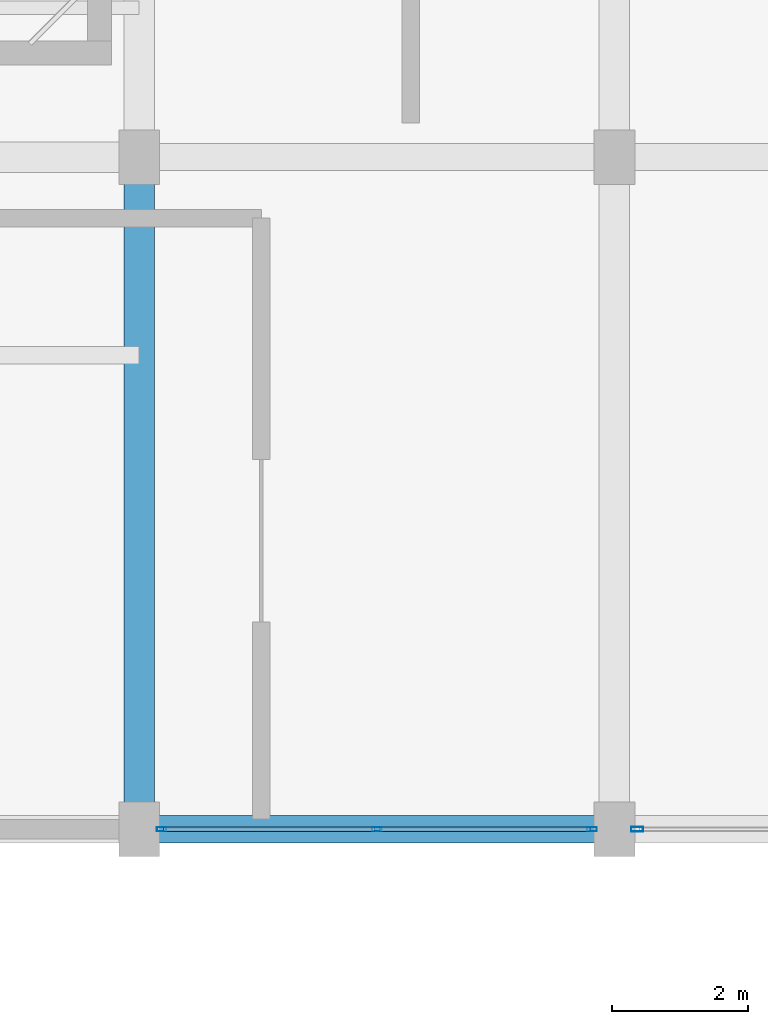
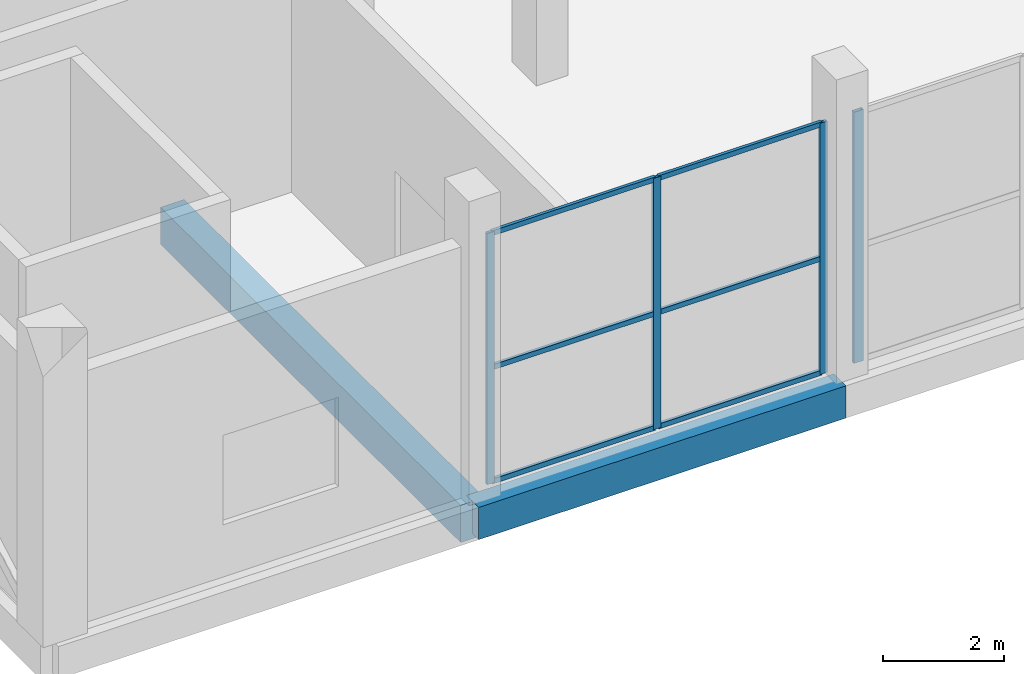
# One storey, part 2 of 58: 10 members, 2 beams, 2 elements without a shape of their own.
"""IFC4 building model written with IfcOpenShell, lengths in metres."""

from ifc_helpers import new_model, si_unit, direction, frame, origin, origin_2d, place, context, subcontext, project, spatial, rectangle, hollow_rectangle, extrude, material, layer, layer_set, material_profile, profile_set, type_object, element, aggregate, save


model = new_model("IFC4")

# Units and contexts
model_context = context("Model", 3, precision=1e-05, world=origin(), true_north=direction((0.0, 1.0)))
body_context = subcontext(model_context, "Body", "Model", "MODEL_VIEW")
ifc_project = project(units=[si_unit("LENGTHUNIT", "METRE"), si_unit("AREAUNIT", "SQUARE_METRE"), si_unit("VOLUMEUNIT", "CUBIC_METRE"), si_unit("PLANEANGLEUNIT", "RADIAN"), si_unit("MASSUNIT", "GRAM", prefix="KILO")], contexts=[model_context])

# Site, building, storey
site_placement = place(None, origin())
site = spatial("IfcSite", under=ifc_project, at=site_placement, CompositionType="ELEMENT")
building_placement = place(site_placement, origin())
building = spatial("IfcBuilding", under=site, at=building_placement, Name="Sillaruma Civic Art Gallery", CompositionType="ELEMENT")
storey_placement = place(building_placement, frame((0.0, 0.0, 22.43994140625)))
storey = spatial("IfcBuildingStorey", under=building, at=storey_placement, Name="L04", CompositionType="ELEMENT", Elevation=22.43994140625)

# Beams
ifc_material_1 = material(Name="Concrete H40 (40 MPa)", Category="concrete")
ifc_material_profile_1 = material_profile(ifc_material_1, rectangle(XDim=0.449951171875, YDim=0.75, at=origin_2d()), Name="RCB450x750")
ifc_profile_set_1 = profile_set([ifc_material_profile_1], Name="Concrete H40 (40 MPa)")
beam_type_1 = type_object("IfcBeamType", Name="BM-BEAM-RCB450x750", PredefinedType="BEAM", material=ifc_profile_set_1)
beam_1_placement = place(storey_placement, frame((70.0, 19.800048828125, -0.635009765625), z_axis=(0.0, 1.0, 0.0), x_axis=(-1.0, 0.0, 0.0)))
element("IfcBeam", 1, at=beam_1_placement, inside=storey, type_object=beam_type_1, Name="Beam BM-03 (L03:G:3-4)", PredefinedType="BEAM", context=body_context, shape_type="SweptSolid", body=[
    extrude(rectangle(XDim=0.449951171875, YDim=0.75, at=origin_2d()), origin(), (0.0, 0.0, 1.0), 9.89990234375),
])
ifc_material_2 = material(Name="Concrete H35 (35 MPa)", Category="concrete")
ifc_material_profile_2 = material_profile(ifc_material_2, rectangle(XDim=0.39990234375, YDim=0.64990234375, at=origin_2d()), Name="RCB400x650")
ifc_profile_set_2 = profile_set([ifc_material_profile_2], Name="Concrete H35 (35 MPa)")
beam_type_2 = type_object("IfcBeamType", Name="BM-SPANDREL-RCB400x650", PredefinedType="SPANDREL", material=ifc_profile_set_2)
beam_2_placement = place(storey_placement, frame((70.0, 19.800048828125, -0.5849609375), z_axis=(1.0, 0.0, 0.0), x_axis=(0.0, 1.0, 0.0)))
element("IfcBeam", 2, at=beam_2_placement, inside=storey, type_object=beam_type_2, Name="Beam BS-02 (L03:3:G-H)", PredefinedType="SPANDREL", context=body_context, shape_type="SweptSolid", body=[
    extrude(rectangle(XDim=0.39990234375, YDim=0.64990234375, at=origin_2d()), origin(), (0.0, 0.0, 1.0), 7.0),
])

# Curtain wall, members
ifc_material_3 = material(Name="Thermally Broken Extruded Aluminium 6063-T6", Category="aluminium")
ifc_layer_1 = layer(ifc_material_3, 0.139892578125, Name="Thermally Broken Extruded Aluminium 6063-T6")
ifc_layer_set_1 = layer_set([ifc_layer_1], Name="Thermally Broken Extruded Aluminium 6063-T6")
curtain_wall_type_1 = type_object("IfcCurtainWallType", Name="CW-UNI-26", PredefinedType="NOTDEFINED", material=ifc_layer_set_1)
curtain_wall_1_placement = place(storey_placement, origin())
curtain_wall_1 = element("IfcCurtainWall", 3, at=curtain_wall_1_placement, inside=storey, type_object=curtain_wall_type_1, Name="Unitised Curtain Wall CW-26 (CW-L04-S-2)", PredefinedType="NOTDEFINED")
ifc_material_profile_3 = material_profile(ifc_material_3, hollow_rectangle(XDim=0.06005859375, YDim=0.139892578125, WallThickness=0.00341796875, at=origin_2d()), Name="CWM60x140")
ifc_profile_set_3 = profile_set([ifc_material_profile_3], Name="Thermally Broken Extruded Aluminium 6063-T6")
member_type_1 = type_object("IfcMemberType", Name="MEM-MUL-CWM60x140", PredefinedType="MULLION", material=ifc_profile_set_3)
member_1_placement = place(storey_placement, frame((70.330078125, 19.800048828125, 0.0), z_axis=(0.0, 0.0, 1.0), x_axis=(0.0, 1.0, 0.0)))
member_1 = element("IfcMember", 4, at=member_1_placement, type_object=member_type_1, Name="CW-26 mullion 1", PredefinedType="MULLION", context=body_context, shape_type="SweptSolid", body=[
    extrude(hollow_rectangle(XDim=0.06005859375, YDim=0.139892578125, WallThickness=0.00341796875, at=origin_2d()), origin(), (0.0, 0.0, 1.0), 5.06005859375),
])
member_2_placement = place(storey_placement, frame((73.5, 19.800048828125, 0.0), z_axis=(0.0, 0.0, 1.0), x_axis=(0.0, 1.0, 0.0)))
member_2 = element("IfcMember", 5, at=member_2_placement, type_object=member_type_1, Name="CW-26 mullion 2", PredefinedType="MULLION", context=body_context, shape_type="SweptSolid", body=[
    extrude(hollow_rectangle(XDim=0.06005859375, YDim=0.139892578125, WallThickness=0.00341796875, at=origin_2d()), origin(), (0.0, 0.0, 1.0), 5.06005859375),
])
member_3_placement = place(storey_placement, frame((76.669921875, 19.800048828125, 0.0), z_axis=(0.0, 0.0, 1.0), x_axis=(0.0, 1.0, 0.0)))
member_3 = element("IfcMember", 6, at=member_3_placement, type_object=member_type_1, Name="CW-26 mullion 3", PredefinedType="MULLION", context=body_context, shape_type="SweptSolid", body=[
    extrude(hollow_rectangle(XDim=0.06005859375, YDim=0.139892578125, WallThickness=0.00341796875, at=origin_2d()), origin(), (0.0, 0.0, 1.0), 5.06005859375),
])

# Curtain wall, member
ifc_layer_2 = layer(ifc_material_3, 0.179931640625, Name="Thermally Broken Extruded Aluminium 6063-T6")
ifc_layer_set_2 = layer_set([ifc_layer_2], Name="Thermally Broken Extruded Aluminium 6063-T6")
curtain_wall_type_2 = type_object("IfcCurtainWallType", Name="CW-UNI-28", PredefinedType="NOTDEFINED", material=ifc_layer_set_2)
curtain_wall_2_placement = place(storey_placement, origin())
curtain_wall_2 = element("IfcCurtainWall", 7, at=curtain_wall_2_placement, inside=storey, type_object=curtain_wall_type_2, Name="Unitised Curtain Wall CW-28 (CW-L04-S-3)", PredefinedType="NOTDEFINED")
ifc_material_profile_4 = material_profile(ifc_material_3, hollow_rectangle(XDim=0.070068359375, YDim=0.179931640625, WallThickness=0.00390625, at=origin_2d()), Name="CWM70x180")
ifc_profile_set_4 = profile_set([ifc_material_profile_4], Name="Thermally Broken Extruded Aluminium 6063-T6")
member_type_2 = type_object("IfcMemberType", Name="MEM-MUL-CWM70x180", PredefinedType="MULLION", material=ifc_profile_set_4)
member_4_placement = place(storey_placement, frame((77.3349609375, 19.800048828125, 0.0), z_axis=(0.0, 0.0, 1.0), x_axis=(0.0, 1.0, 0.0)))
member_4 = element("IfcMember", 8, at=member_4_placement, type_object=member_type_2, Name="CW-28 mullion 1", PredefinedType="MULLION", context=body_context, shape_type="SweptSolid", body=[
    extrude(hollow_rectangle(XDim=0.070068359375, YDim=0.179931640625, WallThickness=0.00390625, at=origin_2d()), origin(), (0.0, 0.0, 1.0), 5.06005859375),
])
aggregate(curtain_wall_2, [member_4])

# Member
ifc_material_profile_5 = material_profile(ifc_material_3, hollow_rectangle(XDim=0.06005859375, YDim=0.10009765625, WallThickness=0.003173828125, at=origin_2d()), Name="CWT60x100")
ifc_profile_set_5 = profile_set([ifc_material_profile_5], Name="Thermally Broken Extruded Aluminium 6063-T6")
member_type_3 = type_object("IfcMemberType", Name="MEM-TRN-CWT60x100", PredefinedType="USERDEFINED", material=ifc_profile_set_5)
member_5_placement = place(storey_placement, frame((70.360107421875, 19.800048828125, 0.030029296875), z_axis=(1.0, 0.0, 0.0), x_axis=(0.0, 1.0, 0.0)))
member_5 = element("IfcMember", 9, at=member_5_placement, type_object=member_type_3, Name="CW-26 transom 1.1", ObjectType="TRANSOM", PredefinedType="USERDEFINED", context=body_context, shape_type="SweptSolid", body=[
    extrude(hollow_rectangle(XDim=0.06005859375, YDim=0.10009765625, WallThickness=0.003173828125, at=origin_2d()), origin(), (0.0, 0.0, 1.0), 3.10986328125),
])

member_6_placement = place(storey_placement, frame((70.360107421875, 19.800048828125, 2.32763671875), z_axis=(1.0, 0.0, 0.0), x_axis=(0.0, 1.0, 0.0)))
member_6 = element("IfcMember", 10, at=member_6_placement, type_object=member_type_3, Name="CW-26 transom 1.2", ObjectType="TRANSOM", PredefinedType="USERDEFINED", context=body_context, shape_type="SweptSolid", body=[
    extrude(hollow_rectangle(XDim=0.06005859375, YDim=0.10009765625, WallThickness=0.003173828125, at=origin_2d()), origin(), (0.0, 0.0, 1.0), 3.10986328125),
])

member_7_placement = place(storey_placement, frame((70.360107421875, 19.800048828125, 5.030029296875), z_axis=(1.0, 0.0, 0.0), x_axis=(0.0, 1.0, 0.0)))
member_7 = element("IfcMember", 11, at=member_7_placement, type_object=member_type_3, Name="CW-26 transom 1.3", ObjectType="TRANSOM", PredefinedType="USERDEFINED", context=body_context, shape_type="SweptSolid", body=[
    extrude(hollow_rectangle(XDim=0.06005859375, YDim=0.10009765625, WallThickness=0.003173828125, at=origin_2d()), origin(), (0.0, 0.0, 1.0), 3.10986328125),
])

member_8_placement = place(storey_placement, frame((73.530029296875, 19.800048828125, 0.030029296875), z_axis=(1.0, 0.0, 0.0), x_axis=(0.0, 1.0, 0.0)))
member_8 = element("IfcMember", 12, at=member_8_placement, type_object=member_type_3, Name="CW-26 transom 2.1", ObjectType="TRANSOM", PredefinedType="USERDEFINED", context=body_context, shape_type="SweptSolid", body=[
    extrude(hollow_rectangle(XDim=0.06005859375, YDim=0.10009765625, WallThickness=0.003173828125, at=origin_2d()), origin(), (0.0, 0.0, 1.0), 3.10986328125),
])

member_9_placement = place(storey_placement, frame((73.530029296875, 19.800048828125, 2.32763671875), z_axis=(1.0, 0.0, 0.0), x_axis=(0.0, 1.0, 0.0)))
member_9 = element("IfcMember", 13, at=member_9_placement, type_object=member_type_3, Name="CW-26 transom 2.2", ObjectType="TRANSOM", PredefinedType="USERDEFINED", context=body_context, shape_type="SweptSolid", body=[
    extrude(hollow_rectangle(XDim=0.06005859375, YDim=0.10009765625, WallThickness=0.003173828125, at=origin_2d()), origin(), (0.0, 0.0, 1.0), 3.10986328125),
])

member_10_placement = place(storey_placement, frame((73.530029296875, 19.800048828125, 5.030029296875), z_axis=(1.0, 0.0, 0.0), x_axis=(0.0, 1.0, 0.0)))
member_10 = element("IfcMember", 14, at=member_10_placement, type_object=member_type_3, Name="CW-26 transom 2.3", ObjectType="TRANSOM", PredefinedType="USERDEFINED", context=body_context, shape_type="SweptSolid", body=[
    extrude(hollow_rectangle(XDim=0.06005859375, YDim=0.10009765625, WallThickness=0.003173828125, at=origin_2d()), origin(), (0.0, 0.0, 1.0), 3.10986328125),
])

aggregate(curtain_wall_1, [member_1, member_2, member_3, member_5, member_6, member_7, member_8, member_9, member_10])

save(model, "model.ifc")
